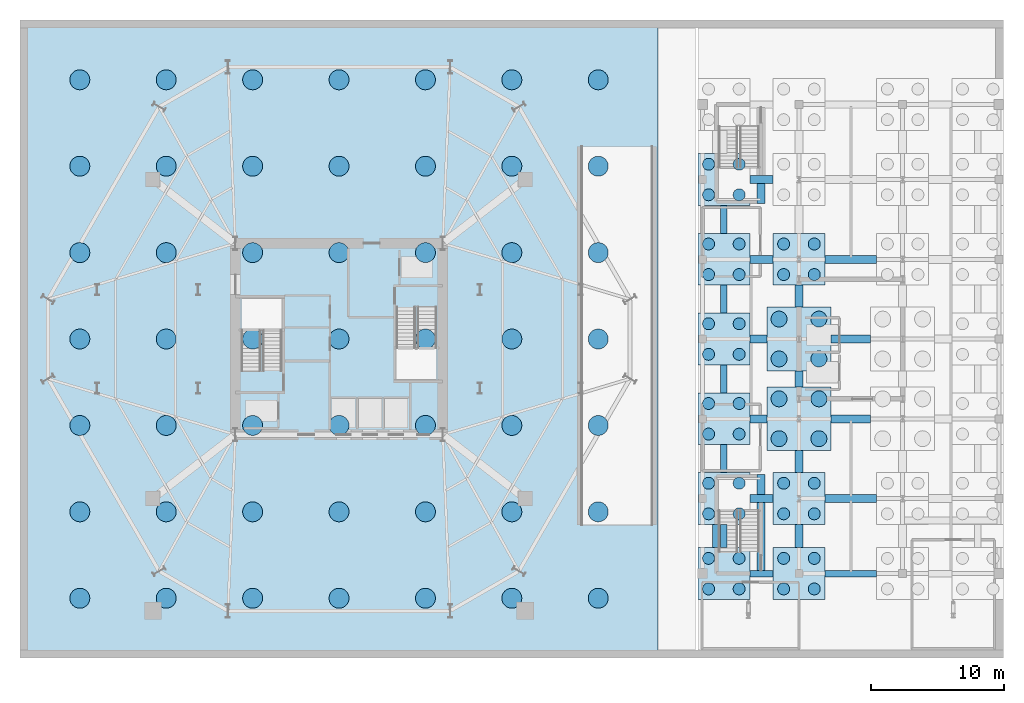
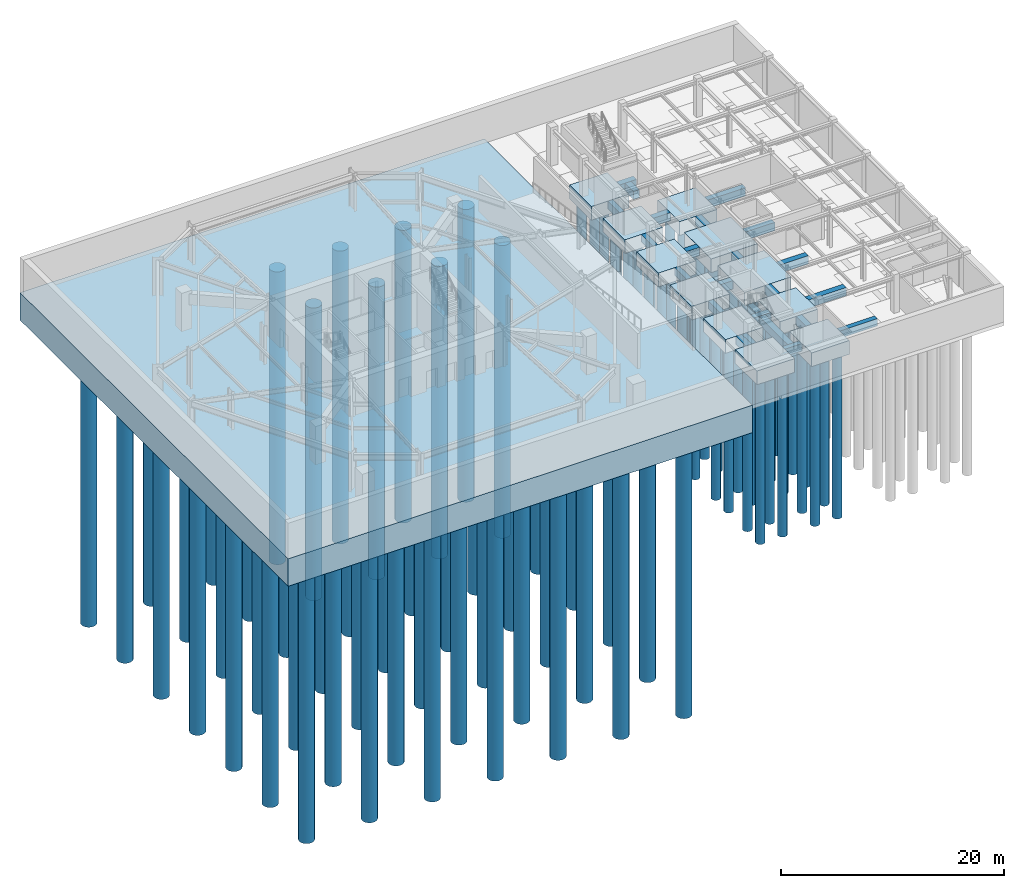
# One storey, part 1 of 18: 93 piles, 36 footings.
"""IFC4 building model written with IfcOpenShell, lengths in metres."""

import ifcopenshell
import ifcopenshell.guid

model = None  # the IFC model being written
_history = None  # IfcOwnerHistory: only IFC2X3 demands one
_inside = {}  # id of a spatial element -> (the spatial element, [elements in it])
_under = {}  # id of a project, library or spatial element -> (it, [spatial elements below it])
_declared = {}  # id of a project -> (the project, [libraries it declares])
_typed = {}  # id of a type object -> (the type object, [elements of that type])
_made_of = {}  # id of a material, layer set ... -> (it, [elements and type objects made of it])


def new_model(schema):
    """Start an empty IFC model of exactly this schema.

    Asked for "IFC4X3", IfcOpenShell would pick the latest addendum, in which some entities
    have other attributes; the version numbers below select the first issue.
    IFC2X3 requires an IfcOwnerHistory on every rooted entity: one is made here for all.
    """
    global model, _history
    if schema == "IFC4X3":
        model = ifcopenshell.file(schema_version=(4, 3, 0, 0))
    else:
        model = ifcopenshell.file(schema=schema)
    _inside.clear()
    _under.clear()
    _declared.clear()
    _typed.clear()
    _made_of.clear()
    _history = None
    if model.schema == "IFC2X3":
        org = make("IfcOrganization", Name="unknown")
        user = make(
            "IfcPersonAndOrganization",
            ThePerson=make("IfcPerson", FamilyName="unknown"),
            TheOrganization=org,
        )
        app = make(
            "IfcApplication",
            ApplicationDeveloper=org,
            Version="unknown",
            ApplicationFullName="unknown",
            ApplicationIdentifier="unknown",
        )
        _history = make(
            "IfcOwnerHistory",
            OwningUser=user,
            OwningApplication=app,
            ChangeAction="ADDED",
            CreationDate=0,
        )
    return model


def make(cls, **values):
    """One entity of the class cls with the attributes given. An attribute that is None is left unset."""
    return model.create_entity(
        cls, **{name: value for name, value in values.items() if value is not None}
    )


def rooted(cls, **values):
    """An entity with a GlobalId (a new one), such as an element, a storey or a relation."""
    return make(cls, GlobalId=ifcopenshell.guid.new(), OwnerHistory=_history, **values)


def si_unit(unit_type, name, prefix=None):
    """IfcSIUnit, for example si_unit("LENGTHUNIT", "METRE", prefix="MILLI")."""
    return make("IfcSIUnit", UnitType=unit_type, Prefix=prefix, Name=name)


def assignment(units):
    """IfcUnitAssignment: the units of a project."""
    return None if units is None else make("IfcUnitAssignment", Units=units)


def point(xyz):
    """IfcCartesianPoint."""
    return None if xyz is None else make("IfcCartesianPoint", Coordinates=xyz)


def direction(xyz):
    """IfcDirection."""
    return None if xyz is None else make("IfcDirection", DirectionRatios=xyz)


def frame(location, z_axis=None, x_axis=None):
    """IfcAxis2Placement3D, a coordinate frame: its origin and axes. An axis left out is left unset."""
    return make(
        "IfcAxis2Placement3D",
        Location=point(location),
        Axis=direction(z_axis),
        RefDirection=direction(x_axis),
    )


def frame_2d(location, x_axis=None):
    """IfcAxis2Placement2D, a coordinate frame in the plane: its origin and x axis."""
    return make(
        "IfcAxis2Placement2D", Location=point(location), RefDirection=direction(x_axis)
    )


def origin():
    """The frame at (0, 0, 0) with its axes left unset."""
    return frame((0.0, 0.0, 0.0))


def origin_2d():
    """The frame at (0, 0) in the plane with its x axis left unset."""
    return frame_2d((0.0, 0.0))


def place(relative_to, where):
    """IfcLocalPlacement: puts the frame where relative to a parent placement (None: the world)."""
    return make(
        "IfcLocalPlacement", PlacementRelTo=relative_to, RelativePlacement=where
    )


def context(
    kind, dimensions, precision=None, world=None, true_north=None, identifier=None
):
    """IfcGeometricRepresentationContext, for example the 3D "Model" context."""
    return make(
        "IfcGeometricRepresentationContext",
        ContextIdentifier=identifier,
        ContextType=kind,
        CoordinateSpaceDimension=dimensions,
        Precision=precision,
        WorldCoordinateSystem=world,
        TrueNorth=true_north,
    )


def subcontext(parent, identifier, kind, view, scale=None):
    """IfcGeometricRepresentationSubContext, for example "Body" below "Model"."""
    return make(
        "IfcGeometricRepresentationSubContext",
        ContextIdentifier=identifier,
        ContextType=kind,
        ParentContext=parent,
        TargetScale=scale,
        TargetView=view,
    )


def project(units=None, contexts=None):
    """IfcProject with its units and contexts."""
    return rooted(
        "IfcProject",
        Name="project",
        RepresentationContexts=contexts,
        UnitsInContext=assignment(units),
    )


def spatial(cls, under=None, at=None, **own):
    """A site, building, storey or space (cls), placed at a placement, below another one or the project."""
    s = rooted(cls, ObjectPlacement=at, **own)
    if under is not None:
        _under.setdefault(under.id(), (under, []))[1].append(s)
    return s


def polyline(points):
    """IfcPolyline through the points."""
    return make("IfcPolyline", Points=[point(p) for p in points])


def profile(cls, at=None, kind="AREA", **sizes):
    """A parametric profile (cls). Its sizes go by their IFC names, for example OverallWidth=200.0."""
    return make(cls, ProfileType=kind, Position=at, **sizes)


def circle(**sizes):
    """IfcCircleProfileDef."""
    return profile("IfcCircleProfileDef", **sizes)


def outline(outer, holes=None, kind="AREA"):
    """IfcArbitraryClosedProfileDef: a profile drawn as a closed curve; with holes, ...WithVoids."""
    if holes is None:
        return make("IfcArbitraryClosedProfileDef", ProfileType=kind, OuterCurve=outer)
    return make(
        "IfcArbitraryProfileDefWithVoids",
        ProfileType=kind,
        OuterCurve=outer,
        InnerCurves=holes,
    )


def extrude(swept, where, along, depth):
    """IfcExtrudedAreaSolid: the profile swept, set in the frame where, extruded along a direction by depth."""
    return make(
        "IfcExtrudedAreaSolid",
        SweptArea=swept,
        Position=where,
        ExtrudedDirection=direction(along),
        Depth=depth,
    )


def shape(context_of_items, identifier, shape_type, items):
    """IfcShapeRepresentation: the items that make up one representation, for example the "Body"."""
    return make(
        "IfcShapeRepresentation",
        ContextOfItems=context_of_items,
        RepresentationIdentifier=identifier,
        RepresentationType=shape_type,
        Items=items,
    )


def material(Name=None, Category=None):
    """IfcMaterial."""
    return make("IfcMaterial", Name=Name, Category=Category)


def layer(
    of_material, thickness, ventilated=None, Name=None, Category=None, Priority=None
):
    """IfcMaterialLayer: one layer of a wall or slab, of a material (None: an air gap)."""
    return make(
        "IfcMaterialLayer",
        Material=of_material,
        LayerThickness=thickness,
        IsVentilated=ventilated,
        Name=Name,
        Category=Category,
        Priority=Priority,
    )


def layer_set(layers, Name=None):
    """IfcMaterialLayerSet."""
    return make("IfcMaterialLayerSet", MaterialLayers=layers, LayerSetName=Name)


def material_profile(
    of_material, cross_section, Name=None, Category=None, Priority=None
):
    """IfcMaterialProfile: a cross section and its material."""
    return make(
        "IfcMaterialProfile",
        Name=Name,
        Material=of_material,
        Profile=cross_section,
        Priority=Priority,
        Category=Category,
    )


def profile_set(profiles, Name=None, composite=None):
    """IfcMaterialProfileSet."""
    return make(
        "IfcMaterialProfileSet",
        Name=Name,
        MaterialProfiles=profiles,
        CompositeProfile=composite,
    )


def made_of(thing, what):
    """Note that an element or type object is made of a material, layer set ...; save() writes the relation."""
    if what is not None:
        _made_of.setdefault(what.id(), (what, []))[1].append(thing)
    return thing


def type_object(cls, material=None, **own):
    """A type object (cls), such as IfcWallType, which elements share."""
    return made_of(rooted(cls, **own), material)


def element(
    cls,
    number,
    at=None,
    inside=None,
    cuts=None,
    type_object=None,
    material=None,
    context=None,
    identifier="Body",
    shape_type=None,
    held_by="IfcProductDefinitionShape",
    body=None,
    shapes=None,
    **own,
):
    """One element of the class cls, such as IfcWall. Its Tag is "e" and its number.

    at: its placement. inside: the storey or other place that contains it. cuts: it is an
    opening in that element (IfcRelVoidsElement). A single representation is given by context,
    identifier, shape_type and body (its items); several are given by shapes. held_by: the class
    of the entity that holds the representations. save() writes the other relations.
    """
    e = rooted(cls, Tag="e%d" % number, ObjectPlacement=at, **own)
    if body is not None:
        shapes = [shape(context, identifier, shape_type, body)]
    if shapes is not None:
        e.Representation = make(held_by, Representations=shapes)
    if inside is not None:
        _inside.setdefault(inside.id(), (inside, []))[1].append(e)
    if cuts is not None:
        rooted(
            "IfcRelVoidsElement", RelatingBuildingElement=cuts, RelatedOpeningElement=e
        )
    if type_object is not None:
        _typed.setdefault(type_object.id(), (type_object, []))[1].append(e)
    return made_of(e, material)


def aggregate(whole, parts):
    """IfcRelAggregates: a whole, such as a stair, and the parts it consists of."""
    return rooted("IfcRelAggregates", RelatingObject=whole, RelatedObjects=parts)


def save(model, path):
    """Write the relations noted so far, then the file.

    IfcRelAggregates (storeys below a building ...), IfcRelContainedInSpatialStructure (elements
    in a storey), IfcRelDefinesByType, IfcRelAssociatesMaterial and IfcRelDeclares: one each for
    every whole, place, type object, material and project.
    """
    for whole, parts in _under.values():
        aggregate(whole, parts)
    for where, things in _inside.values():
        rooted(
            "IfcRelContainedInSpatialStructure",
            RelatedElements=things,
            RelatingStructure=where,
        )
    for kind, things in _typed.values():
        rooted("IfcRelDefinesByType", RelatedObjects=things, RelatingType=kind)
    for what, things in _made_of.values():
        rooted("IfcRelAssociatesMaterial", RelatedObjects=things, RelatingMaterial=what)
    for by, libraries in _declared.values():
        rooted("IfcRelDeclares", RelatingContext=by, RelatedDefinitions=libraries)
    model.write(path)


model = new_model("IFC4")

# Units and contexts
model_context = context("Model", 3, precision=1e-05, world=origin(), true_north=direction((0.0, 1.0)))
body_context = subcontext(model_context, "Body", "Model", "MODEL_VIEW")
ifc_project = project(units=[si_unit("LENGTHUNIT", "METRE"), si_unit("AREAUNIT", "SQUARE_METRE"), si_unit("VOLUMEUNIT", "CUBIC_METRE"), si_unit("PLANEANGLEUNIT", "RADIAN"), si_unit("MASSUNIT", "GRAM", prefix="KILO")], contexts=[model_context])

# Site, building, storey
site_placement = place(None, origin())
site = spatial("IfcSite", under=ifc_project, at=site_placement, CompositionType="ELEMENT")
building_placement = place(site_placement, origin())
building = spatial("IfcBuilding", under=site, at=building_placement, Name="Kranzbogen Civic Tower", CompositionType="ELEMENT")
storey_placement = place(building_placement, frame((0.0, 0.0, -8.39990234375)))
storey = spatial("IfcBuildingStorey", under=building, at=storey_placement, Name="B02", CompositionType="ELEMENT", Elevation=-8.39990234375)

# Piles
ifc_material_1 = material(Name="Concrete C40/50", Category="concrete")
ifc_material_profile_1 = material_profile(ifc_material_1, circle(Radius=0.60009765625, at=origin_2d()), Name="PILE D1200")
ifc_profile_set_1 = profile_set([ifc_material_profile_1], Name="Concrete C40/50")
pile_type_1 = type_object("IfcPileType", Name="Bored Foundation Pile D1200", PredefinedType="BORED", material=ifc_profile_set_1)
for number, where, z_axis, x_axis, name in (
    (1, (58.10009765625, 17.5, -1.400146484375), (0.0, 0.0, -1.0), (1.0, 0.0, 0.0), "Health Centre bored pile 037"),
    (2, (58.10009765625, 20.5, -1.400146484375), (0.0, 0.0, -1.0), (1.0, 0.0, 0.0), "Health Centre bored pile 038"),
    (3, (61.10009765625, 17.5, -1.400146484375), (0.0, 0.0, -1.0), (1.0, 0.0, 0.0), "Health Centre bored pile 039"),
    (4, (61.10009765625, 20.5, -1.400146484375), (0.0, 0.0, -1.0), (1.0, 0.0, 0.0), "Health Centre bored pile 040"),
    (5, (58.10009765625, 23.5, -1.400146484375), (0.0, 0.0, -1.0), (1.0, 0.0, 0.0), "Health Centre bored pile 041"),
    (6, (58.10009765625, 26.5, -1.400146484375), (0.0, 0.0, -1.0), (1.0, 0.0, 0.0), "Health Centre bored pile 042"),
    (7, (61.10009765625, 23.5, -1.400146484375), (0.0, 0.0, -1.0), (1.0, 0.0, 0.0), "Health Centre bored pile 043"),
    (8, (61.10009765625, 26.5, -1.400146484375), (0.0, 0.0, -1.0), (1.0, 0.0, 0.0), "Health Centre bored pile 044"),
):
    element("IfcPile", number, at=place(storey_placement, frame(where, z_axis=z_axis, x_axis=x_axis)), inside=storey, type_object=pile_type_1, Name=name, PredefinedType="BORED", context=body_context, shape_type="SweptSolid", body=[
        extrude(circle(Radius=0.60009765625, at=origin_2d()), origin(), (0.0, 0.0, 1.0), 18.0),
    ])
ifc_material_2 = material(Name="Concrete C45/55", Category="concrete")
ifc_material_profile_2 = material_profile(ifc_material_2, circle(Radius=0.75, at=origin_2d()), Name="PILE D1500")
ifc_profile_set_2 = profile_set([ifc_material_profile_2], Name="Concrete C45/55")
pile_type_2 = type_object("IfcPileType", Name="Bored Foundation Pile D1500", PredefinedType="BORED", material=ifc_profile_set_2)
for number, where, z_axis, x_axis, name in (
    (9, (5.5, 5.5, -2.900146484375), (0.0, 0.0, -1.0), (1.0, 0.0, 0.0), "Tower bored pile 01"),
    (10, (5.5, 12.0, -2.900146484375), (0.0, 0.0, -1.0), (1.0, 0.0, 0.0), "Tower bored pile 02"),
    (11, (5.5, 18.5, -2.900146484375), (0.0, 0.0, -1.0), (1.0, 0.0, 0.0), "Tower bored pile 03"),
    (12, (5.5, 25.0, -2.900146484375), (0.0, 0.0, -1.0), (1.0, 0.0, 0.0), "Tower bored pile 04"),
    (13, (5.5, 31.5, -2.900146484375), (0.0, 0.0, -1.0), (1.0, 0.0, 0.0), "Tower bored pile 05"),
    (14, (5.5, 38.0, -2.900146484375), (0.0, 0.0, -1.0), (1.0, 0.0, 0.0), "Tower bored pile 06"),
    (15, (5.5, 44.5, -2.900146484375), (0.0, 0.0, -1.0), (1.0, 0.0, 0.0), "Tower bored pile 07"),
    (16, (12.0, 5.5, -2.900146484375), (0.0, 0.0, -1.0), (1.0, 0.0, 0.0), "Tower bored pile 08"),
    (17, (12.0, 12.0, -2.900146484375), (0.0, 0.0, -1.0), (1.0, 0.0, 0.0), "Tower bored pile 09"),
    (18, (12.0, 18.5, -2.900146484375), (0.0, 0.0, -1.0), (1.0, 0.0, 0.0), "Tower bored pile 10"),
    (19, (12.0, 25.0, -2.900146484375), (0.0, 0.0, -1.0), (1.0, 0.0, 0.0), "Tower bored pile 11"),
    (20, (12.0, 31.5, -2.900146484375), (0.0, 0.0, -1.0), (1.0, 0.0, 0.0), "Tower bored pile 12"),
    (21, (12.0, 38.0, -2.900146484375), (0.0, 0.0, -1.0), (1.0, 0.0, 0.0), "Tower bored pile 13"),
    (22, (12.0, 44.5, -2.900146484375), (0.0, 0.0, -1.0), (1.0, 0.0, 0.0), "Tower bored pile 14"),
    (23, (18.5, 5.5, -2.900146484375), (0.0, 0.0, -1.0), (1.0, 0.0, 0.0), "Tower bored pile 15"),
    (24, (18.5, 12.0, -2.900146484375), (0.0, 0.0, -1.0), (1.0, 0.0, 0.0), "Tower bored pile 16"),
    (25, (18.5, 18.5, -2.900146484375), (0.0, 0.0, -1.0), (1.0, 0.0, 0.0), "Tower bored pile 17"),
    (26, (18.5, 25.0, -2.900146484375), (0.0, 0.0, -1.0), (1.0, 0.0, 0.0), "Tower bored pile 18"),
    (27, (18.5, 31.5, -2.900146484375), (0.0, 0.0, -1.0), (1.0, 0.0, 0.0), "Tower bored pile 19"),
    (28, (18.5, 38.0, -2.900146484375), (0.0, 0.0, -1.0), (1.0, 0.0, 0.0), "Tower bored pile 20"),
    (29, (18.5, 44.5, -2.900146484375), (0.0, 0.0, -1.0), (1.0, 0.0, 0.0), "Tower bored pile 21"),
    (30, (25.0, 5.5, -2.900146484375), (0.0, 0.0, -1.0), (1.0, 0.0, 0.0), "Tower bored pile 22"),
    (31, (25.0, 12.0, -2.900146484375), (0.0, 0.0, -1.0), (1.0, 0.0, 0.0), "Tower bored pile 23"),
    (32, (25.0, 18.5, -2.900146484375), (0.0, 0.0, -1.0), (1.0, 0.0, 0.0), "Tower bored pile 24"),
    (33, (25.0, 25.0, -2.900146484375), (0.0, 0.0, -1.0), (1.0, 0.0, 0.0), "Tower bored pile 25"),
    (34, (25.0, 31.5, -2.900146484375), (0.0, 0.0, -1.0), (1.0, 0.0, 0.0), "Tower bored pile 26"),
    (35, (25.0, 38.0, -2.900146484375), (0.0, 0.0, -1.0), (1.0, 0.0, 0.0), "Tower bored pile 27"),
    (36, (25.0, 44.5, -2.900146484375), (0.0, 0.0, -1.0), (1.0, 0.0, 0.0), "Tower bored pile 28"),
    (37, (31.5, 5.5, -2.900146484375), (0.0, 0.0, -1.0), (1.0, 0.0, 0.0), "Tower bored pile 29"),
    (38, (31.5, 12.0, -2.900146484375), (0.0, 0.0, -1.0), (1.0, 0.0, 0.0), "Tower bored pile 30"),
    (39, (31.5, 18.5, -2.900146484375), (0.0, 0.0, -1.0), (1.0, 0.0, 0.0), "Tower bored pile 31"),
    (40, (31.5, 25.0, -2.900146484375), (0.0, 0.0, -1.0), (1.0, 0.0, 0.0), "Tower bored pile 32"),
    (41, (31.5, 31.5, -2.900146484375), (0.0, 0.0, -1.0), (1.0, 0.0, 0.0), "Tower bored pile 33"),
    (42, (31.5, 38.0, -2.900146484375), (0.0, 0.0, -1.0), (1.0, 0.0, 0.0), "Tower bored pile 34"),
    (43, (31.5, 44.5, -2.900146484375), (0.0, 0.0, -1.0), (1.0, 0.0, 0.0), "Tower bored pile 35"),
    (44, (38.0, 5.5, -2.900146484375), (0.0, 0.0, -1.0), (1.0, 0.0, 0.0), "Tower bored pile 36"),
    (45, (38.0, 12.0, -2.900146484375), (0.0, 0.0, -1.0), (1.0, 0.0, 0.0), "Tower bored pile 37"),
    (46, (38.0, 18.5, -2.900146484375), (0.0, 0.0, -1.0), (1.0, 0.0, 0.0), "Tower bored pile 38"),
    (47, (38.0, 25.0, -2.900146484375), (0.0, 0.0, -1.0), (1.0, 0.0, 0.0), "Tower bored pile 39"),
    (48, (38.0, 31.5, -2.900146484375), (0.0, 0.0, -1.0), (1.0, 0.0, 0.0), "Tower bored pile 40"),
    (49, (38.0, 38.0, -2.900146484375), (0.0, 0.0, -1.0), (1.0, 0.0, 0.0), "Tower bored pile 41"),
    (50, (38.0, 44.5, -2.900146484375), (0.0, 0.0, -1.0), (1.0, 0.0, 0.0), "Tower bored pile 42"),
    (51, (44.5, 5.5, -2.900146484375), (0.0, 0.0, -1.0), (1.0, 0.0, 0.0), "Tower bored pile 43"),
    (52, (44.5, 12.0, -2.900146484375), (0.0, 0.0, -1.0), (1.0, 0.0, 0.0), "Tower bored pile 44"),
    (53, (44.5, 18.5, -2.900146484375), (0.0, 0.0, -1.0), (1.0, 0.0, 0.0), "Tower bored pile 45"),
    (54, (44.5, 25.0, -2.900146484375), (0.0, 0.0, -1.0), (1.0, 0.0, 0.0), "Tower bored pile 46"),
    (55, (44.5, 31.5, -2.900146484375), (0.0, 0.0, -1.0), (1.0, 0.0, 0.0), "Tower bored pile 47"),
    (56, (44.5, 38.0, -2.900146484375), (0.0, 0.0, -1.0), (1.0, 0.0, 0.0), "Tower bored pile 48"),
    (57, (44.5, 44.5, -2.900146484375), (0.0, 0.0, -1.0), (1.0, 0.0, 0.0), "Tower bored pile 49"),
):
    element("IfcPile", number, at=place(storey_placement, frame(where, z_axis=z_axis, x_axis=x_axis)), inside=storey, type_object=pile_type_2, Name=name, PredefinedType="BORED", context=body_context, shape_type="SweptSolid", body=[
        extrude(circle(Radius=0.75, at=origin_2d()), origin(), (0.0, 0.0, 1.0), 32.0),
    ])
ifc_material_profile_3 = material_profile(ifc_material_1, circle(Radius=0.449951171875, at=origin_2d()), Name="PILE D900")
ifc_profile_set_3 = profile_set([ifc_material_profile_3], Name="Concrete C40/50")
pile_type_3 = type_object("IfcPileType", Name="Bored Foundation Pile D900", PredefinedType="BORED", material=ifc_profile_set_3)
for number, where, z_axis, x_axis, name in (
    (58, (52.800048828125, 6.199951171875, -1.400146484375), (0.0, 0.0, -1.0), (1.0, 0.0, 0.0), "Health Centre bored pile 001"),
    (59, (52.800048828125, 8.5, -1.400146484375), (0.0, 0.0, -1.0), (1.0, 0.0, 0.0), "Health Centre bored pile 002"),
    (60, (55.10009765625, 6.199951171875, -1.400146484375), (0.0, 0.0, -1.0), (1.0, 0.0, 0.0), "Health Centre bored pile 003"),
    (61, (55.10009765625, 8.5, -1.400146484375), (0.0, 0.0, -1.0), (1.0, 0.0, 0.0), "Health Centre bored pile 004"),
    (62, (52.800048828125, 11.85009765625, -1.400146484375), (0.0, 0.0, -1.0), (1.0, 0.0, 0.0), "Health Centre bored pile 005"),
    (63, (52.800048828125, 14.14990234375, -1.400146484375), (0.0, 0.0, -1.0), (1.0, 0.0, 0.0), "Health Centre bored pile 006"),
    (64, (55.10009765625, 11.85009765625, -1.400146484375), (0.0, 0.0, -1.0), (1.0, 0.0, 0.0), "Health Centre bored pile 007"),
    (65, (55.10009765625, 14.14990234375, -1.400146484375), (0.0, 0.0, -1.0), (1.0, 0.0, 0.0), "Health Centre bored pile 008"),
    (66, (52.800048828125, 17.85009765625, -1.400146484375), (0.0, 0.0, -1.0), (1.0, 0.0, 0.0), "Health Centre bored pile 009"),
    (67, (52.800048828125, 20.14990234375, -1.400146484375), (0.0, 0.0, -1.0), (1.0, 0.0, 0.0), "Health Centre bored pile 010"),
    (68, (55.10009765625, 17.85009765625, -1.400146484375), (0.0, 0.0, -1.0), (1.0, 0.0, 0.0), "Health Centre bored pile 011"),
    (69, (55.10009765625, 20.14990234375, -1.400146484375), (0.0, 0.0, -1.0), (1.0, 0.0, 0.0), "Health Centre bored pile 012"),
    (70, (52.800048828125, 23.85009765625, -1.400146484375), (0.0, 0.0, -1.0), (1.0, 0.0, 0.0), "Health Centre bored pile 013"),
    (71, (52.800048828125, 26.14990234375, -1.400146484375), (0.0, 0.0, -1.0), (1.0, 0.0, 0.0), "Health Centre bored pile 014"),
    (72, (55.10009765625, 23.85009765625, -1.400146484375), (0.0, 0.0, -1.0), (1.0, 0.0, 0.0), "Health Centre bored pile 015"),
    (73, (55.10009765625, 26.14990234375, -1.400146484375), (0.0, 0.0, -1.0), (1.0, 0.0, 0.0), "Health Centre bored pile 016"),
    (74, (52.800048828125, 29.85009765625, -1.400146484375), (0.0, 0.0, -1.0), (1.0, 0.0, 0.0), "Health Centre bored pile 017"),
    (75, (52.800048828125, 32.14990234375, -1.400146484375), (0.0, 0.0, -1.0), (1.0, 0.0, 0.0), "Health Centre bored pile 018"),
    (76, (55.10009765625, 29.85009765625, -1.400146484375), (0.0, 0.0, -1.0), (1.0, 0.0, 0.0), "Health Centre bored pile 019"),
    (77, (55.10009765625, 32.14990234375, -1.400146484375), (0.0, 0.0, -1.0), (1.0, 0.0, 0.0), "Health Centre bored pile 020"),
    (78, (52.800048828125, 35.85009765625, -1.400146484375), (0.0, 0.0, -1.0), (1.0, 0.0, 0.0), "Health Centre bored pile 021"),
    (79, (52.800048828125, 38.14990234375, -1.400146484375), (0.0, 0.0, -1.0), (1.0, 0.0, 0.0), "Health Centre bored pile 022"),
    (80, (55.10009765625, 35.85009765625, -1.400146484375), (0.0, 0.0, -1.0), (1.0, 0.0, 0.0), "Health Centre bored pile 023"),
    (81, (55.10009765625, 38.14990234375, -1.400146484375), (0.0, 0.0, -1.0), (1.0, 0.0, 0.0), "Health Centre bored pile 024"),
    (82, (58.449951171875, 6.199951171875, -1.400146484375), (0.0, 0.0, -1.0), (1.0, 0.0, 0.0), "Health Centre bored pile 029"),
    (83, (58.449951171875, 8.5, -1.400146484375), (0.0, 0.0, -1.0), (1.0, 0.0, 0.0), "Health Centre bored pile 030"),
    (84, (60.75, 6.199951171875, -1.400146484375), (0.0, 0.0, -1.0), (1.0, 0.0, 0.0), "Health Centre bored pile 031"),
    (85, (60.75, 8.5, -1.400146484375), (0.0, 0.0, -1.0), (1.0, 0.0, 0.0), "Health Centre bored pile 032"),
    (86, (58.449951171875, 11.85009765625, -1.400146484375), (0.0, 0.0, -1.0), (1.0, 0.0, 0.0), "Health Centre bored pile 033"),
    (87, (58.449951171875, 14.14990234375, -1.400146484375), (0.0, 0.0, -1.0), (1.0, 0.0, 0.0), "Health Centre bored pile 034"),
    (88, (60.75, 11.85009765625, -1.400146484375), (0.0, 0.0, -1.0), (1.0, 0.0, 0.0), "Health Centre bored pile 035"),
    (89, (60.75, 14.14990234375, -1.400146484375), (0.0, 0.0, -1.0), (1.0, 0.0, 0.0), "Health Centre bored pile 036"),
    (90, (58.449951171875, 29.85009765625, -1.400146484375), (0.0, 0.0, -1.0), (1.0, 0.0, 0.0), "Health Centre bored pile 045"),
    (91, (58.449951171875, 32.14990234375, -1.400146484375), (0.0, 0.0, -1.0), (1.0, 0.0, 0.0), "Health Centre bored pile 046"),
    (92, (60.75, 29.85009765625, -1.400146484375), (0.0, 0.0, -1.0), (1.0, 0.0, 0.0), "Health Centre bored pile 047"),
    (93, (60.75, 32.14990234375, -1.400146484375), (0.0, 0.0, -1.0), (1.0, 0.0, 0.0), "Health Centre bored pile 048"),
):
    element("IfcPile", number, at=place(storey_placement, frame(where, z_axis=z_axis, x_axis=x_axis)), inside=storey, type_object=pile_type_3, Name=name, PredefinedType="BORED", context=body_context, shape_type="SweptSolid", body=[
        extrude(circle(Radius=0.449951171875, at=origin_2d()), origin(), (0.0, 0.0, 1.0), 18.0),
    ])

# Footings
ifc_layer_1 = layer(ifc_material_1, 0.89990234375, Name="Concrete C40/50")
ifc_layer_set_1 = layer_set([ifc_layer_1], Name="Concrete C40/50")
footing_type_1 = type_object("IfcFootingType", Name="Ground Tie Beam 600x900", PredefinedType="FOOTING_BEAM", material=ifc_layer_set_1)
footing_1_placement = place(storey_placement, frame((0.0, 0.0, -0.900146484375)))
element("IfcFooting", 94, at=footing_1_placement, inside=storey, type_object=footing_type_1, Name="Health Centre ground tie beam X04", PredefinedType="FOOTING_BEAM", context=body_context, shape_type="SweptSolid", body=[
    extrude(outline(polyline([(55.89990234375, 12.699951171875), (57.64990234375, 12.699951171875), (57.64990234375, 13.300048828125), (55.89990234375, 13.300048828125), (55.89990234375, 12.699951171875)])), origin(), (0.0, 0.0, 1.0), 0.900146484375),
])
footing_2_placement = place(storey_placement, frame((0.0, 0.0, -0.900146484375)))
element("IfcFooting", 95, at=footing_2_placement, inside=storey, type_object=footing_type_1, Name="Health Centre ground tie beam X05", PredefinedType="FOOTING_BEAM", context=body_context, shape_type="SweptSolid", body=[
    extrude(outline(polyline([(61.550048828125, 12.699951171875), (65.449951171875, 12.699951171875), (65.449951171875, 13.300048828125), (61.550048828125, 13.300048828125), (61.550048828125, 12.699951171875)])), origin(), (0.0, 0.0, 1.0), 0.900146484375),
])
footing_3_placement = place(storey_placement, frame((0.0, 0.0, -0.900146484375)))
element("IfcFooting", 96, at=footing_3_placement, inside=storey, type_object=footing_type_1, Name="Health Centre ground tie beam X07", PredefinedType="FOOTING_BEAM", context=body_context, shape_type="SweptSolid", body=[
    extrude(outline(polyline([(55.89990234375, 18.699951171875), (57.199951171875, 18.699951171875), (57.199951171875, 19.300048828125), (55.89990234375, 19.300048828125), (55.89990234375, 18.699951171875)])), origin(), (0.0, 0.0, 1.0), 0.900146484375),
])
footing_4_placement = place(storey_placement, frame((0.0, 0.0, -0.900146484375)))
element("IfcFooting", 97, at=footing_4_placement, inside=storey, type_object=footing_type_1, Name="Health Centre ground tie beam X08", PredefinedType="FOOTING_BEAM", context=body_context, shape_type="SweptSolid", body=[
    extrude(outline(polyline([(62.0, 18.699951171875), (65.0, 18.699951171875), (65.0, 19.300048828125), (62.0, 19.300048828125), (62.0, 18.699951171875)])), origin(), (0.0, 0.0, 1.0), 0.900146484375),
])
footing_5_placement = place(storey_placement, frame((0.0, 0.0, -0.900146484375)))
element("IfcFooting", 98, at=footing_5_placement, inside=storey, type_object=footing_type_1, Name="Health Centre ground tie beam X10", PredefinedType="FOOTING_BEAM", context=body_context, shape_type="SweptSolid", body=[
    extrude(outline(polyline([(55.89990234375, 24.699951171875), (57.199951171875, 24.699951171875), (57.199951171875, 25.300048828125), (55.89990234375, 25.300048828125), (55.89990234375, 24.699951171875)])), origin(), (0.0, 0.0, 1.0), 0.900146484375),
])
footing_6_placement = place(storey_placement, frame((0.0, 0.0, -0.900146484375)))
element("IfcFooting", 99, at=footing_6_placement, inside=storey, type_object=footing_type_1, Name="Health Centre ground tie beam X11", PredefinedType="FOOTING_BEAM", context=body_context, shape_type="SweptSolid", body=[
    extrude(outline(polyline([(62.0, 24.699951171875), (65.0, 24.699951171875), (65.0, 25.300048828125), (62.0, 25.300048828125), (62.0, 24.699951171875)])), origin(), (0.0, 0.0, 1.0), 0.900146484375),
])
footing_7_placement = place(storey_placement, frame((0.0, 0.0, -0.900146484375)))
element("IfcFooting", 100, at=footing_7_placement, inside=storey, type_object=footing_type_1, Name="Health Centre ground tie beam X13", PredefinedType="FOOTING_BEAM", context=body_context, shape_type="SweptSolid", body=[
    extrude(outline(polyline([(55.89990234375, 30.699951171875), (57.64990234375, 30.699951171875), (57.64990234375, 31.300048828125), (55.89990234375, 31.300048828125), (55.89990234375, 30.699951171875)])), origin(), (0.0, 0.0, 1.0), 0.900146484375),
])
footing_8_placement = place(storey_placement, frame((0.0, 0.0, -0.900146484375)))
element("IfcFooting", 101, at=footing_8_placement, inside=storey, type_object=footing_type_1, Name="Health Centre ground tie beam X14", PredefinedType="FOOTING_BEAM", context=body_context, shape_type="SweptSolid", body=[
    extrude(outline(polyline([(61.550048828125, 30.699951171875), (65.449951171875, 30.699951171875), (65.449951171875, 31.300048828125), (61.550048828125, 31.300048828125), (61.550048828125, 30.699951171875)])), origin(), (0.0, 0.0, 1.0), 0.900146484375),
])
footing_9_placement = place(storey_placement, frame((0.0, 0.0, -0.900146484375)))
element("IfcFooting", 102, at=footing_9_placement, inside=storey, type_object=footing_type_1, Name="Health Centre ground tie beam X16", PredefinedType="FOOTING_BEAM", context=body_context, shape_type="SweptSolid", body=[
    extrude(outline(polyline([(55.89990234375, 36.699951171875), (57.64990234375, 36.699951171875), (57.64990234375, 37.300048828125), (55.89990234375, 37.300048828125), (55.89990234375, 36.699951171875)])), origin(), (0.0, 0.0, 1.0), 0.900146484375),
])
footing_10_placement = place(storey_placement, frame((0.0, 0.0, -0.900146484375)))
element("IfcFooting", 103, at=footing_10_placement, inside=storey, type_object=footing_type_1, Name="Health Centre ground tie beam Y28", PredefinedType="FOOTING_BEAM", context=body_context, shape_type="SweptSolid", body=[
    extrude(outline(polyline([(59.300048828125, 9.300048828125), (59.89990234375, 9.300048828125), (59.89990234375, 11.050048828125), (59.300048828125, 11.050048828125), (59.300048828125, 9.300048828125)])), origin(), (0.0, 0.0, 1.0), 0.900146484375),
])
footing_11_placement = place(storey_placement, frame((0.0, 0.0, -0.900146484375)))
element("IfcFooting", 104, at=footing_11_placement, inside=storey, type_object=footing_type_1, Name="Health Centre ground tie beam Y29", PredefinedType="FOOTING_BEAM", context=body_context, shape_type="SweptSolid", body=[
    extrude(outline(polyline([(59.300048828125, 14.949951171875), (59.89990234375, 14.949951171875), (59.89990234375, 16.60009765625), (59.300048828125, 16.60009765625), (59.300048828125, 14.949951171875)])), origin(), (0.0, 0.0, 1.0), 0.900146484375),
])
footing_12_placement = place(storey_placement, frame((0.0, 0.0, -0.900146484375)))
element("IfcFooting", 105, at=footing_12_placement, inside=storey, type_object=footing_type_1, Name="Health Centre ground tie beam Y30", PredefinedType="FOOTING_BEAM", context=body_context, shape_type="SweptSolid", body=[
    extrude(outline(polyline([(59.300048828125, 21.39990234375), (59.89990234375, 21.39990234375), (59.89990234375, 22.60009765625), (59.300048828125, 22.60009765625), (59.300048828125, 21.39990234375)])), origin(), (0.0, 0.0, 1.0), 0.900146484375),
])
footing_13_placement = place(storey_placement, frame((0.0, 0.0, -0.900146484375)))
element("IfcFooting", 106, at=footing_13_placement, inside=storey, type_object=footing_type_1, Name="Health Centre ground tie beam Y31", PredefinedType="FOOTING_BEAM", context=body_context, shape_type="SweptSolid", body=[
    extrude(outline(polyline([(59.300048828125, 27.39990234375), (59.89990234375, 27.39990234375), (59.89990234375, 29.050048828125), (59.300048828125, 29.050048828125), (59.300048828125, 27.39990234375)])), origin(), (0.0, 0.0, 1.0), 0.900146484375),
])
footing_14_placement = place(storey_placement, frame((0.0, 0.0, -0.900146484375)))
element("IfcFooting", 107, at=footing_14_placement, inside=storey, type_object=footing_type_1, Name="B02 ST-H1 stair shaft strip footing 1", PredefinedType="FOOTING_BEAM", context=body_context, shape_type="SweptSolid", body=[
    extrude(outline(polyline([(53.10009765625, 9.300048828125), (53.699951171875, 9.300048828125), (53.699951171875, 11.050048828125), (53.10009765625, 11.050048828125), (53.10009765625, 9.300048828125)])), origin(), (0.0, 0.0, 1.0), 0.900146484375),
])
footing_15_placement = place(storey_placement, frame((0.0, 0.0, -0.900146484375)))
element("IfcFooting", 108, at=footing_15_placement, inside=storey, type_object=footing_type_1, Name="B02 ST-H1 stair shaft strip footing 2.1", PredefinedType="FOOTING_BEAM", context=body_context, shape_type="SweptSolid", body=[
    extrude(outline(polyline([(56.449951171875, 7.60009765625), (57.050048828125, 7.60009765625), (57.050048828125, 12.699951171875), (56.449951171875, 12.699951171875), (56.449951171875, 7.60009765625)])), origin(), (0.0, 0.0, 1.0), 0.900146484375),
])
footing_16_placement = place(storey_placement, frame((0.0, 0.0, -0.900146484375)))
element("IfcFooting", 109, at=footing_16_placement, inside=storey, type_object=footing_type_1, Name="B02 ST-H1 stair shaft strip footing 2.2", PredefinedType="FOOTING_BEAM", context=body_context, shape_type="SweptSolid", body=[
    extrude(outline(polyline([(56.449951171875, 13.300048828125), (57.050048828125, 13.300048828125), (57.050048828125, 14.800048828125), (56.449951171875, 14.800048828125), (56.449951171875, 13.300048828125)])), origin(), (0.0, 0.0, 1.0), 0.900146484375),
])
footing_17_placement = place(storey_placement, frame((0.0, 0.0, -0.900146484375)))
element("IfcFooting", 110, at=footing_17_placement, inside=storey, type_object=footing_type_1, Name="B02 ST-H2 stair shaft strip footing 2.1", PredefinedType="FOOTING_BEAM", context=body_context, shape_type="SweptSolid", body=[
    extrude(outline(polyline([(56.449951171875, 35.199951171875), (57.050048828125, 35.199951171875), (57.050048828125, 36.699951171875), (56.449951171875, 36.699951171875), (56.449951171875, 35.199951171875)])), origin(), (0.0, 0.0, 1.0), 0.900146484375),
])
ifc_layer_2 = layer(ifc_material_1, 1.5, Name="Concrete C40/50")
ifc_layer_set_2 = layer_set([ifc_layer_2], Name="Concrete C40/50")
footing_type_2 = type_object("IfcFootingType", Name="Health Centre 4-Pile Cap 3900x3900x1500", PredefinedType="PILE_CAP", material=ifc_layer_set_2)
footing_18_placement = place(storey_placement, frame((0.0, 0.0, -1.5)))
element("IfcFooting", 111, at=footing_18_placement, inside=storey, type_object=footing_type_2, Name="Health Centre pile cap 10/B", PredefinedType="PILE_CAP", context=body_context, shape_type="SweptSolid", body=[
    extrude(outline(polyline([(52.0, 5.39990234375), (55.89990234375, 5.39990234375), (55.89990234375, 9.300048828125), (52.0, 9.300048828125), (52.0, 5.39990234375)])), origin(), (0.0, 0.0, 1.0), 1.5),
])
footing_19_placement = place(storey_placement, frame((0.0, 0.0, -1.5)))
element("IfcFooting", 112, at=footing_19_placement, inside=storey, type_object=footing_type_2, Name="Health Centre pile cap 10/C", PredefinedType="PILE_CAP", context=body_context, shape_type="SweptSolid", body=[
    extrude(outline(polyline([(52.0, 11.050048828125), (55.89990234375, 11.050048828125), (55.89990234375, 14.949951171875), (52.0, 14.949951171875), (52.0, 11.050048828125)])), origin(), (0.0, 0.0, 1.0), 1.5),
])
footing_20_placement = place(storey_placement, frame((0.0, 0.0, -1.5)))
element("IfcFooting", 113, at=footing_20_placement, inside=storey, type_object=footing_type_2, Name="Health Centre pile cap 10/D", PredefinedType="PILE_CAP", context=body_context, shape_type="SweptSolid", body=[
    extrude(outline(polyline([(52.0, 17.050048828125), (55.89990234375, 17.050048828125), (55.89990234375, 20.949951171875), (52.0, 20.949951171875), (52.0, 17.050048828125)])), origin(), (0.0, 0.0, 1.0), 1.5),
])
footing_21_placement = place(storey_placement, frame((0.0, 0.0, -1.5)))
element("IfcFooting", 114, at=footing_21_placement, inside=storey, type_object=footing_type_2, Name="Health Centre pile cap 10/E", PredefinedType="PILE_CAP", context=body_context, shape_type="SweptSolid", body=[
    extrude(outline(polyline([(52.0, 23.050048828125), (55.89990234375, 23.050048828125), (55.89990234375, 26.949951171875), (52.0, 26.949951171875), (52.0, 23.050048828125)])), origin(), (0.0, 0.0, 1.0), 1.5),
])
footing_22_placement = place(storey_placement, frame((0.0, 0.0, -1.5)))
element("IfcFooting", 115, at=footing_22_placement, inside=storey, type_object=footing_type_2, Name="Health Centre pile cap 10/F", PredefinedType="PILE_CAP", context=body_context, shape_type="SweptSolid", body=[
    extrude(outline(polyline([(52.0, 29.050048828125), (55.89990234375, 29.050048828125), (55.89990234375, 32.949951171875), (52.0, 32.949951171875), (52.0, 29.050048828125)])), origin(), (0.0, 0.0, 1.0), 1.5),
])
footing_23_placement = place(storey_placement, frame((0.0, 0.0, -1.5)))
element("IfcFooting", 116, at=footing_23_placement, inside=storey, type_object=footing_type_2, Name="Health Centre pile cap 10/G", PredefinedType="PILE_CAP", context=body_context, shape_type="SweptSolid", body=[
    extrude(outline(polyline([(52.0, 35.050048828125), (55.89990234375, 35.050048828125), (55.89990234375, 38.949951171875), (52.0, 38.949951171875), (52.0, 35.050048828125)])), origin(), (0.0, 0.0, 1.0), 1.5),
])
footing_24_placement = place(storey_placement, frame((0.0, 0.0, -1.5)))
element("IfcFooting", 117, at=footing_24_placement, inside=storey, type_object=footing_type_2, Name="Health Centre pile cap 11/B", PredefinedType="PILE_CAP", context=body_context, shape_type="SweptSolid", body=[
    extrude(outline(polyline([(57.64990234375, 5.39990234375), (61.550048828125, 5.39990234375), (61.550048828125, 9.300048828125), (57.64990234375, 9.300048828125), (57.64990234375, 5.39990234375)])), origin(), (0.0, 0.0, 1.0), 1.5),
])
footing_25_placement = place(storey_placement, frame((0.0, 0.0, -1.5)))
element("IfcFooting", 118, at=footing_25_placement, inside=storey, type_object=footing_type_2, Name="Health Centre pile cap 11/C", PredefinedType="PILE_CAP", context=body_context, shape_type="SweptSolid", body=[
    extrude(outline(polyline([(57.64990234375, 11.050048828125), (61.550048828125, 11.050048828125), (61.550048828125, 14.949951171875), (57.64990234375, 14.949951171875), (57.64990234375, 11.050048828125)])), origin(), (0.0, 0.0, 1.0), 1.5),
])
footing_26_placement = place(storey_placement, frame((0.0, 0.0, -1.5)))
element("IfcFooting", 119, at=footing_26_placement, inside=storey, type_object=footing_type_2, Name="Health Centre pile cap 11/F", PredefinedType="PILE_CAP", context=body_context, shape_type="SweptSolid", body=[
    extrude(outline(polyline([(57.64990234375, 29.050048828125), (61.550048828125, 29.050048828125), (61.550048828125, 32.949951171875), (57.64990234375, 32.949951171875), (57.64990234375, 29.050048828125)])), origin(), (0.0, 0.0, 1.0), 1.5),
])
ifc_layer_3 = layer(ifc_material_1, 1.5, Name="Concrete C40/50")
ifc_layer_set_3 = layer_set([ifc_layer_3], Name="Concrete C40/50")
footing_type_3 = type_object("IfcFootingType", Name="Health Centre Core 4-Pile Cap 4800x4800x1500", PredefinedType="PILE_CAP", material=ifc_layer_set_3)
footing_27_placement = place(storey_placement, frame((0.0, 0.0, -1.5)))
element("IfcFooting", 120, at=footing_27_placement, inside=storey, type_object=footing_type_3, Name="Health Centre pile cap 11/D", PredefinedType="PILE_CAP", context=body_context, shape_type="SweptSolid", body=[
    extrude(outline(polyline([(57.199951171875, 16.60009765625), (62.0, 16.60009765625), (62.0, 21.39990234375), (57.199951171875, 21.39990234375), (57.199951171875, 16.60009765625)])), origin(), (0.0, 0.0, 1.0), 1.5),
])
footing_28_placement = place(storey_placement, frame((0.0, 0.0, -1.5)))
element("IfcFooting", 121, at=footing_28_placement, inside=storey, type_object=footing_type_3, Name="Health Centre pile cap 11/E", PredefinedType="PILE_CAP", context=body_context, shape_type="SweptSolid", body=[
    extrude(outline(polyline([(57.199951171875, 22.60009765625), (62.0, 22.60009765625), (62.0, 27.39990234375), (57.199951171875, 27.39990234375), (57.199951171875, 22.60009765625)])), origin(), (0.0, 0.0, 1.0), 1.5),
])
ifc_layer_4 = layer(ifc_material_1, 0.800048828125, Name="Concrete C40/50")
ifc_layer_set_4 = layer_set([ifc_layer_4], Name="Concrete C40/50")
footing_type_4 = type_object("IfcFootingType", Name="Perimeter Ground Strap Beam 500x800", PredefinedType="FOOTING_BEAM", material=ifc_layer_set_4)
footing_29_placement = place(storey_placement, frame((0.0, 0.0, -0.800048828125)))
element("IfcFooting", 122, at=footing_29_placement, inside=storey, type_object=footing_type_4, Name="Health Centre ground tie beam X01", PredefinedType="FOOTING_BEAM", context=body_context, shape_type="SweptSolid", body=[
    extrude(outline(polyline([(55.89990234375, 7.10009765625), (57.64990234375, 7.10009765625), (57.64990234375, 7.60009765625), (55.89990234375, 7.60009765625), (55.89990234375, 7.10009765625)])), origin(), (0.0, 0.0, 1.0), 0.800048828125),
])
footing_30_placement = place(storey_placement, frame((0.0, 0.0, -0.800048828125)))
element("IfcFooting", 123, at=footing_30_placement, inside=storey, type_object=footing_type_4, Name="Health Centre ground tie beam X02", PredefinedType="FOOTING_BEAM", context=body_context, shape_type="SweptSolid", body=[
    extrude(outline(polyline([(61.550048828125, 7.10009765625), (65.449951171875, 7.10009765625), (65.449951171875, 7.60009765625), (61.550048828125, 7.60009765625), (61.550048828125, 7.10009765625)])), origin(), (0.0, 0.0, 1.0), 0.800048828125),
])
footing_31_placement = place(storey_placement, frame((0.0, 0.0, -0.800048828125)))
element("IfcFooting", 124, at=footing_31_placement, inside=storey, type_object=footing_type_4, Name="Health Centre ground tie beam Y22", PredefinedType="FOOTING_BEAM", context=body_context, shape_type="SweptSolid", body=[
    extrude(outline(polyline([(53.699951171875, 9.300048828125), (54.199951171875, 9.300048828125), (54.199951171875, 11.050048828125), (53.699951171875, 11.050048828125), (53.699951171875, 9.300048828125)])), origin(), (0.0, 0.0, 1.0), 0.800048828125),
])
footing_32_placement = place(storey_placement, frame((0.0, 0.0, -0.800048828125)))
element("IfcFooting", 125, at=footing_32_placement, inside=storey, type_object=footing_type_4, Name="Health Centre ground tie beam Y23", PredefinedType="FOOTING_BEAM", context=body_context, shape_type="SweptSolid", body=[
    extrude(outline(polyline([(53.699951171875, 14.949951171875), (54.199951171875, 14.949951171875), (54.199951171875, 17.050048828125), (53.699951171875, 17.050048828125), (53.699951171875, 14.949951171875)])), origin(), (0.0, 0.0, 1.0), 0.800048828125),
])
footing_33_placement = place(storey_placement, frame((0.0, 0.0, -0.800048828125)))
element("IfcFooting", 126, at=footing_33_placement, inside=storey, type_object=footing_type_4, Name="Health Centre ground tie beam Y24", PredefinedType="FOOTING_BEAM", context=body_context, shape_type="SweptSolid", body=[
    extrude(outline(polyline([(53.699951171875, 20.949951171875), (54.199951171875, 20.949951171875), (54.199951171875, 23.050048828125), (53.699951171875, 23.050048828125), (53.699951171875, 20.949951171875)])), origin(), (0.0, 0.0, 1.0), 0.800048828125),
])
footing_34_placement = place(storey_placement, frame((0.0, 0.0, -0.800048828125)))
element("IfcFooting", 127, at=footing_34_placement, inside=storey, type_object=footing_type_4, Name="Health Centre ground tie beam Y25", PredefinedType="FOOTING_BEAM", context=body_context, shape_type="SweptSolid", body=[
    extrude(outline(polyline([(53.699951171875, 26.949951171875), (54.199951171875, 26.949951171875), (54.199951171875, 29.050048828125), (53.699951171875, 29.050048828125), (53.699951171875, 26.949951171875)])), origin(), (0.0, 0.0, 1.0), 0.800048828125),
])
footing_35_placement = place(storey_placement, frame((0.0, 0.0, -0.800048828125)))
element("IfcFooting", 128, at=footing_35_placement, inside=storey, type_object=footing_type_4, Name="Health Centre ground tie beam Y26", PredefinedType="FOOTING_BEAM", context=body_context, shape_type="SweptSolid", body=[
    extrude(outline(polyline([(53.699951171875, 32.949951171875), (54.199951171875, 32.949951171875), (54.199951171875, 35.050048828125), (53.699951171875, 35.050048828125), (53.699951171875, 32.949951171875)])), origin(), (0.0, 0.0, 1.0), 0.800048828125),
])
ifc_layer_5 = layer(ifc_material_2, 3.0, Name="Concrete C45/55")
ifc_layer_set_5 = layer_set([ifc_layer_5], Name="Concrete C45/55")
footing_type_5 = type_object("IfcFootingType", Name="Tower Combined Piled Raft 3000", PredefinedType="PILE_CAP", material=ifc_layer_set_5)
footing_36_placement = place(storey_placement, frame((0.0, 0.0, -3.0)))
element("IfcFooting", 129, at=footing_36_placement, inside=storey, type_object=footing_type_5, Name="Tower combined piled raft foundation", PredefinedType="PILE_CAP", context=body_context, shape_type="SweptSolid", body=[
    extrude(outline(polyline([(1.0, 1.0), (49.0, 1.0), (49.0, 49.0), (1.0, 49.0), (1.0, 1.0)])), origin(), (0.0, 0.0, 1.0), 3.0),
])

save(model, "model.ifc")
